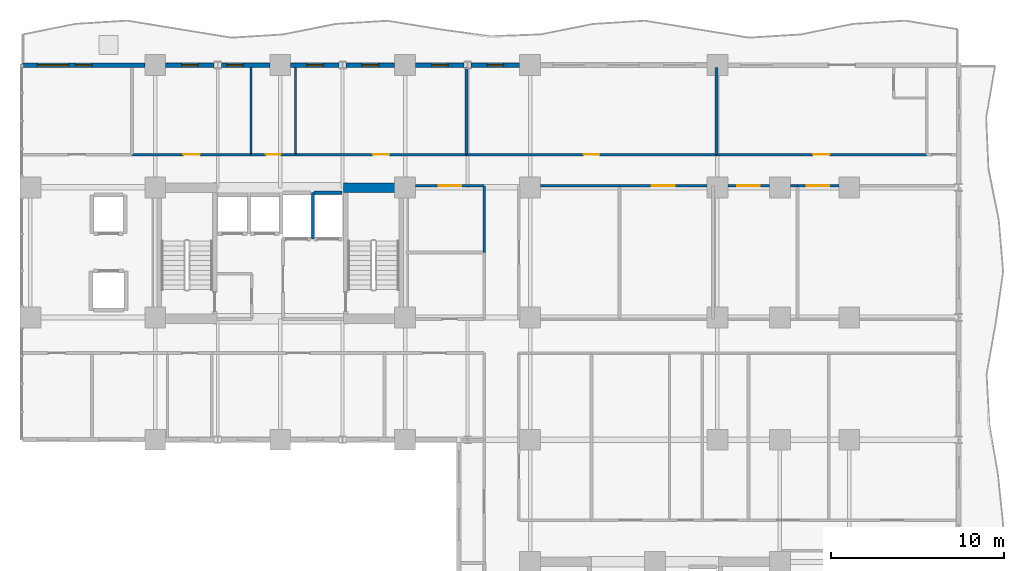
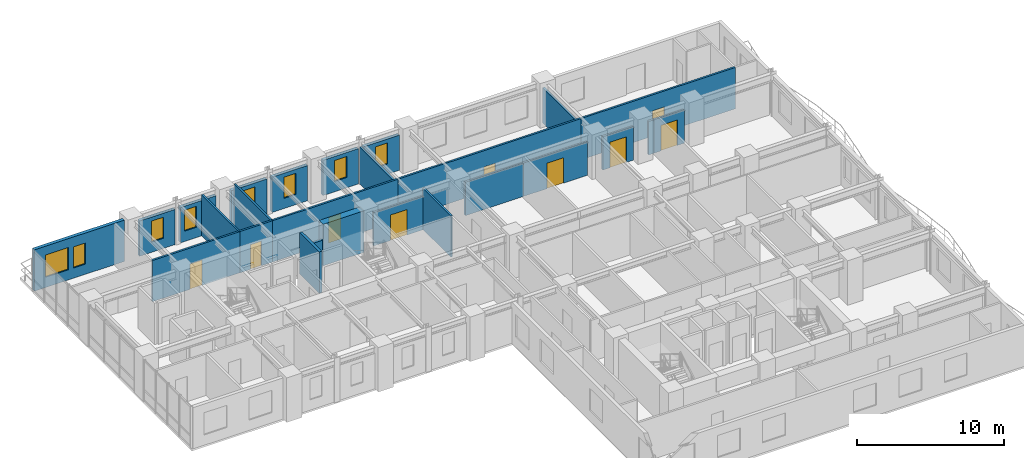
# One storey, part 14 of 18: 26 walls, 9 doors, 8 windows, 17 openings.
"""IFC4 building model written with IfcOpenShell, lengths in metres."""

from ifc_helpers import new_model, si_unit, direction, frame, frame_2d, origin, place, context, subcontext, project, spatial, rectangle, extrude, material, layer, layer_set, type_object, element, fill, save


model = new_model("IFC4")

# Units and contexts
model_context = context("Model", 3, precision=1e-05, world=origin(), true_north=direction((0.0, 1.0)))
body_context = subcontext(model_context, "Body", "Model", "MODEL_VIEW")
ifc_project = project(units=[si_unit("LENGTHUNIT", "METRE"), si_unit("AREAUNIT", "SQUARE_METRE"), si_unit("VOLUMEUNIT", "CUBIC_METRE"), si_unit("PLANEANGLEUNIT", "RADIAN"), si_unit("MASSUNIT", "GRAM", prefix="KILO")], contexts=[model_context])

# Site, building, storey
site_placement = place(None, origin())
site = spatial("IfcSite", under=ifc_project, at=site_placement, CompositionType="ELEMENT")
building_placement = place(site_placement, origin())
building = spatial("IfcBuilding", under=site, at=building_placement, Name="Kaliganga Portal Commons", CompositionType="ELEMENT")
storey_placement = place(building_placement, frame((0.0, 0.0, 93.39990234375)))
storey = spatial("IfcBuildingStorey", under=building, at=storey_placement, Name="L23", CompositionType="ELEMENT", Elevation=93.39990234375)

# Wall
ifc_material_1 = material(Name="Concrete C60/75", Category="concrete")
ifc_layer_1 = layer(ifc_material_1, 0.550048828125)
ifc_layer_set_1 = layer_set([ifc_layer_1], Name="Concrete C60/75")
wall_type_1 = type_object("IfcWallType", Name="WL-CORE-550", PredefinedType="SHEAR", material=ifc_layer_set_1)
wall_1_placement = place(storey_placement, frame((25.25, 36.125, 0.0), z_axis=(0.0, 0.0, 1.0), x_axis=(1.0, 0.0, 0.0)))
element("IfcWall", 1, at=wall_1_placement, inside=storey, type_object=wall_type_1, Name="Core A N-East Shear Wall L23", PredefinedType="SHEAR", context=body_context, shape_type="SweptSolid", body=[
    extrude(rectangle(XDim=3.199951171875, YDim=0.550048828125, at=frame_2d((1.60009765625, 0.0))), origin(), (0.0, 0.0, 1.0), 3.4501953125),
])

# Wall, opening, window
ifc_material_2 = material(Name="Insulated Aluminium-Clad Spandrel Assembly", Category="aluminium")
ifc_layer_2 = layer(ifc_material_2, 0.260009765625)
ifc_layer_set_2 = layer_set([ifc_layer_2], Name="Insulated Aluminium-Clad Spandrel Assembly")
wall_type_2 = type_object("IfcWallType", Name="WL-EXT-SPAND-260", PredefinedType="STANDARD", material=ifc_layer_set_2)
wall_2_placement = place(storey_placement, frame((32.60546875, 43.199951171875, 0.0), z_axis=(0.0, 0.0, 1.0), x_axis=(1.0, 0.0, 0.0)))
wall_2 = element("IfcWall", 2, at=wall_2_placement, inside=storey, type_object=wall_type_2, Name="Exterior Envelope Wall L23 P1-E02-S3", PredefinedType="STANDARD", context=body_context, shape_type="SweptSolid", body=[
    extrude(rectangle(XDim=2.79345703125, YDim=0.260009765625, at=frame_2d((1.396728515625, 0.0))), origin(), (0.0, 0.0, 1.0), 2.93017578125),
])
opening_1_placement = place(wall_2_placement, frame((0.921875, 0.0, 0.85009765625)))
opening_1 = element("IfcOpeningElement", 3, at=opening_1_placement, cuts=wall_2, Name="Opening W-04", PredefinedType="OPENING", context=body_context, shape_type="SweptSolid", body=[
    extrude(rectangle(XDim=0.949951171875, YDim=1.75, at=frame_2d((0.47509765625, 0.875))), frame((0.0, 0.14013671875, 0.0), z_axis=(0.0, -1.0, 0.0), x_axis=(1.0, 0.0, 0.0)), (0.0, 0.0, 1.0), 0.280029296875),
])
ifc_material_3 = material(Name="Thermally Broken Aluminium and Low-E Double Glazing", Category="aluminium")
window_type_1 = type_object("IfcWindowType", Name="WIN-NARROW-950", PartitioningType="SINGLE_PANEL", PredefinedType="WINDOW", material=ifc_material_3)
window_1_placement = place(opening_1_placement, origin())
window_1 = element("IfcWindow", 4, at=window_1_placement, inside=storey, type_object=window_type_1, Name="Facade Window L23-P1E02S3-00", OverallHeight=1.75, OverallWidth=0.949951171875, PartitioningType="SINGLE_PANEL", PredefinedType="WINDOW", context=body_context, shape_type="SweptSolid", body=[
    extrude(rectangle(XDim=0.949951171875, YDim=1.75, at=frame_2d((0.47509765625, 0.875))), frame((0.0, 0.030029296875, 0.0), z_axis=(0.0, -1.0, 0.0), x_axis=(1.0, 0.0, 0.0)), (0.0, 0.0, 1.0), 0.06005859375),
])
fill(opening_1, window_1)

wall_3_placement = place(storey_placement, frame((29.40087890625, 43.199951171875, 0.0), z_axis=(0.0, 0.0, 1.0), x_axis=(1.0, 0.0, 0.0)))
wall_3 = element("IfcWall", 5, at=wall_3_placement, inside=storey, type_object=wall_type_2, Name="Exterior Envelope Wall L23 P1-E02-S4", PredefinedType="STANDARD", context=body_context, shape_type="SweptSolid", body=[
    extrude(rectangle(XDim=2.793701171875, YDim=0.260009765625, at=frame_2d((1.39697265625, 0.0))), origin(), (0.0, 0.0, 1.0), 2.93017578125),
])
opening_2_placement = place(wall_3_placement, frame((0.921630859375, 0.0, 0.85009765625)))
opening_2 = element("IfcOpeningElement", 6, at=opening_2_placement, cuts=wall_3, Name="Opening W-04", PredefinedType="OPENING", context=body_context, shape_type="SweptSolid", body=[
    extrude(rectangle(XDim=0.949951171875, YDim=1.75, at=frame_2d((0.47509765625, 0.875))), frame((0.0, 0.14013671875, 0.0), z_axis=(0.0, -1.0, 0.0), x_axis=(1.0, 0.0, 0.0)), (0.0, 0.0, 1.0), 0.280029296875),
])
window_2_placement = place(opening_2_placement, origin())
window_2 = element("IfcWindow", 7, at=window_2_placement, inside=storey, type_object=window_type_1, Name="Facade Window L23-P1E02S4-00", OverallHeight=1.75, OverallWidth=0.949951171875, PartitioningType="SINGLE_PANEL", PredefinedType="WINDOW", context=body_context, shape_type="SweptSolid", body=[
    extrude(rectangle(XDim=0.949951171875, YDim=1.75, at=frame_2d((0.47509765625, 0.875))), frame((0.0, 0.030029296875, 0.0), z_axis=(0.0, -1.0, 0.0), x_axis=(1.0, 0.0, 0.0)), (0.0, 0.0, 1.0), 0.06005859375),
])
fill(opening_2, window_2)

wall_4_placement = place(storey_placement, frame((25.405517578125, 43.199951171875, 0.0), z_axis=(0.0, 0.0, 1.0), x_axis=(1.0, 0.0, 0.0)))
wall_4 = element("IfcWall", 8, at=wall_4_placement, inside=storey, type_object=wall_type_2, Name="Exterior Envelope Wall L23 P1-E02-S5", PredefinedType="STANDARD", context=body_context, shape_type="SweptSolid", body=[
    extrude(rectangle(XDim=2.79345703125, YDim=0.260009765625, at=frame_2d((1.396728515625, 0.0))), origin(), (0.0, 0.0, 1.0), 2.93017578125),
])
opening_3_placement = place(wall_4_placement, frame((0.921875, 0.0, 0.85009765625)))
opening_3 = element("IfcOpeningElement", 9, at=opening_3_placement, cuts=wall_4, Name="Opening W-04", PredefinedType="OPENING", context=body_context, shape_type="SweptSolid", body=[
    extrude(rectangle(XDim=0.949951171875, YDim=1.75, at=frame_2d((0.47509765625, 0.875))), frame((0.0, 0.14013671875, 0.0), z_axis=(0.0, -1.0, 0.0), x_axis=(1.0, 0.0, 0.0)), (0.0, 0.0, 1.0), 0.280029296875),
])
window_3_placement = place(opening_3_placement, origin())
window_3 = element("IfcWindow", 10, at=window_3_placement, inside=storey, type_object=window_type_1, Name="Facade Window L23-P1E02S5-00", OverallHeight=1.75, OverallWidth=0.949951171875, PartitioningType="SINGLE_PANEL", PredefinedType="WINDOW", context=body_context, shape_type="SweptSolid", body=[
    extrude(rectangle(XDim=0.949951171875, YDim=1.75, at=frame_2d((0.47509765625, 0.875))), frame((0.0, 0.030029296875, 0.0), z_axis=(0.0, -1.0, 0.0), x_axis=(1.0, 0.0, 0.0)), (0.0, 0.0, 1.0), 0.06005859375),
])
fill(opening_3, window_3)

wall_5_placement = place(storey_placement, frame((22.200927734375, 43.199951171875, 0.0), z_axis=(0.0, 0.0, 1.0), x_axis=(1.0, 0.0, 0.0)))
wall_5 = element("IfcWall", 11, at=wall_5_placement, inside=storey, type_object=wall_type_2, Name="Exterior Envelope Wall L23 P1-E02-S6", PredefinedType="STANDARD", context=body_context, shape_type="SweptSolid", body=[
    extrude(rectangle(XDim=2.79345703125, YDim=0.260009765625, at=frame_2d((1.396728515625, 0.0))), origin(), (0.0, 0.0, 1.0), 2.93017578125),
])
opening_4_placement = place(wall_5_placement, frame((0.921630859375, 0.0, 0.85009765625)))
opening_4 = element("IfcOpeningElement", 12, at=opening_4_placement, cuts=wall_5, Name="Opening W-04", PredefinedType="OPENING", context=body_context, shape_type="SweptSolid", body=[
    extrude(rectangle(XDim=0.949951171875, YDim=1.75, at=frame_2d((0.47509765625, 0.875))), frame((0.0, 0.14013671875, 0.0), z_axis=(0.0, -1.0, 0.0), x_axis=(1.0, 0.0, 0.0)), (0.0, 0.0, 1.0), 0.280029296875),
])
window_4_placement = place(opening_4_placement, origin())
window_4 = element("IfcWindow", 13, at=window_4_placement, inside=storey, type_object=window_type_1, Name="Facade Window L23-P1E02S6-00", OverallHeight=1.75, OverallWidth=0.949951171875, PartitioningType="SINGLE_PANEL", PredefinedType="WINDOW", context=body_context, shape_type="SweptSolid", body=[
    extrude(rectangle(XDim=0.949951171875, YDim=1.75, at=frame_2d((0.47509765625, 0.875))), frame((0.0, 0.030029296875, 0.0), z_axis=(0.0, -1.0, 0.0), x_axis=(1.0, 0.0, 0.0)), (0.0, 0.0, 1.0), 0.06005859375),
])
fill(opening_4, window_4)

wall_6_placement = place(storey_placement, frame((18.20556640625, 43.199951171875, 0.0), z_axis=(0.0, 0.0, 1.0), x_axis=(1.0, 0.0, 0.0)))
wall_6 = element("IfcWall", 14, at=wall_6_placement, inside=storey, type_object=wall_type_2, Name="Exterior Envelope Wall L23 P1-E02-S7", PredefinedType="STANDARD", context=body_context, shape_type="SweptSolid", body=[
    extrude(rectangle(XDim=2.79345703125, YDim=0.260009765625, at=frame_2d((1.396728515625, 0.0))), origin(), (0.0, 0.0, 1.0), 2.93017578125),
])
opening_5_placement = place(wall_6_placement, frame((0.30712890625, 0.0, 0.85009765625)))
opening_5 = element("IfcOpeningElement", 15, at=opening_5_placement, cuts=wall_6, Name="Opening W-04", PredefinedType="OPENING", context=body_context, shape_type="SweptSolid", body=[
    extrude(rectangle(XDim=0.949951171875, YDim=1.75, at=frame_2d((0.47509765625, 0.875))), frame((0.0, 0.14013671875, 0.0), z_axis=(0.0, -1.0, 0.0), x_axis=(1.0, 0.0, 0.0)), (0.0, 0.0, 1.0), 0.280029296875),
])
window_5_placement = place(opening_5_placement, origin())
window_5 = element("IfcWindow", 16, at=window_5_placement, inside=storey, type_object=window_type_1, Name="Facade Window L23-P1E02S7-N3", OverallHeight=1.75, OverallWidth=0.949951171875, PartitioningType="SINGLE_PANEL", PredefinedType="WINDOW", context=body_context, shape_type="SweptSolid", body=[
    extrude(rectangle(XDim=0.949951171875, YDim=1.75, at=frame_2d((0.47509765625, 0.875))), frame((0.0, 0.030029296875, 0.0), z_axis=(0.0, -1.0, 0.0), x_axis=(1.0, 0.0, 0.0)), (0.0, 0.0, 1.0), 0.06005859375),
])
fill(opening_5, window_5)

wall_7_placement = place(storey_placement, frame((15.0009765625, 43.199951171875, 0.0), z_axis=(0.0, 0.0, 1.0), x_axis=(1.0, 0.0, 0.0)))
wall_7 = element("IfcWall", 17, at=wall_7_placement, inside=storey, type_object=wall_type_2, Name="Exterior Envelope Wall L23 P1-E02-S8", PredefinedType="STANDARD", context=body_context, shape_type="SweptSolid", body=[
    extrude(rectangle(XDim=2.79345703125, YDim=0.260009765625, at=frame_2d((1.396728515625, 0.0))), origin(), (0.0, 0.0, 1.0), 2.93017578125),
])
opening_6_placement = place(wall_7_placement, frame((0.921630859375, 0.0, 0.85009765625)))
opening_6 = element("IfcOpeningElement", 18, at=opening_6_placement, cuts=wall_7, Name="Opening W-04", PredefinedType="OPENING", context=body_context, shape_type="SweptSolid", body=[
    extrude(rectangle(XDim=0.949951171875, YDim=1.75, at=frame_2d((0.47509765625, 0.875))), frame((0.0, 0.14013671875, 0.0), z_axis=(0.0, -1.0, 0.0), x_axis=(1.0, 0.0, 0.0)), (0.0, 0.0, 1.0), 0.280029296875),
])
window_6_placement = place(opening_6_placement, origin())
window_6 = element("IfcWindow", 19, at=window_6_placement, inside=storey, type_object=window_type_1, Name="Facade Window L23-P1E02S8-00", OverallHeight=1.75, OverallWidth=0.949951171875, PartitioningType="SINGLE_PANEL", PredefinedType="WINDOW", context=body_context, shape_type="SweptSolid", body=[
    extrude(rectangle(XDim=0.949951171875, YDim=1.75, at=frame_2d((0.47509765625, 0.875))), frame((0.0, 0.030029296875, 0.0), z_axis=(0.0, -1.0, 0.0), x_axis=(1.0, 0.0, 0.0)), (0.0, 0.0, 1.0), 0.06005859375),
])
fill(opening_6, window_6)

# Wall, openings, windows
wall_8_placement = place(storey_placement, frame((6.737060546875, 43.199951171875, 0.0), z_axis=(0.0, 0.0, 1.0), x_axis=(1.0, 0.0, 0.0)))
wall_8 = element("IfcWall", 20, at=wall_8_placement, inside=storey, type_object=wall_type_2, Name="Exterior Envelope Wall L23 P1-E02-S9", PredefinedType="STANDARD", context=body_context, shape_type="SweptSolid", body=[
    extrude(rectangle(XDim=7.06201171875, YDim=0.260009765625, at=frame_2d((3.531005859375, 0.0))), origin(), (0.0, 0.0, 1.0), 3.43017578125),
])
opening_7_placement = place(wall_8_placement, frame((0.865478515625, 0.0, 0.85009765625)))
opening_7 = element("IfcOpeningElement", 21, at=opening_7_placement, cuts=wall_8, Name="Opening W-01", PredefinedType="OPENING", context=body_context, shape_type="SweptSolid", body=[
    extrude(rectangle(XDim=1.800048828125, YDim=1.85009765625, at=frame_2d((0.89990234375, 0.925048828125))), frame((0.0, 0.14013671875, 0.0), z_axis=(0.0, -1.0, 0.0), x_axis=(1.0, 0.0, 0.0)), (0.0, 0.0, 1.0), 0.280029296875),
])
opening_8_placement = place(wall_8_placement, frame((3.055908203125, 0.0, 0.85009765625)))
opening_8 = element("IfcOpeningElement", 22, at=opening_8_placement, cuts=wall_8, Name="Opening W-04", PredefinedType="OPENING", context=body_context, shape_type="SweptSolid", body=[
    extrude(rectangle(XDim=0.949951171875, YDim=1.75, at=frame_2d((0.47509765625, 0.875))), frame((0.0, 0.14013671875, 0.0), z_axis=(0.0, -1.0, 0.0), x_axis=(1.0, 0.0, 0.0)), (0.0, 0.0, 1.0), 0.280029296875),
])
window_7_placement = place(opening_8_placement, origin())
window_7 = element("IfcWindow", 23, at=window_7_placement, inside=storey, type_object=window_type_1, Name="Facade Window L23-P1E02S9-N0", OverallHeight=1.75, OverallWidth=0.949951171875, PartitioningType="SINGLE_PANEL", PredefinedType="WINDOW", context=body_context, shape_type="SweptSolid", body=[
    extrude(rectangle(XDim=0.949951171875, YDim=1.75, at=frame_2d((0.47509765625, 0.875))), frame((0.0, 0.030029296875, 0.0), z_axis=(0.0, -1.0, 0.0), x_axis=(1.0, 0.0, 0.0)), (0.0, 0.0, 1.0), 0.06005859375),
])
fill(opening_8, window_7)
window_type_2 = type_object("IfcWindowType", Name="WIN-STD-1800", PartitioningType="DOUBLE_PANEL_VERTICAL", PredefinedType="WINDOW", material=ifc_material_3)
window_8_placement = place(opening_7_placement, origin())
window_8 = element("IfcWindow", 24, at=window_8_placement, inside=storey, type_object=window_type_2, Name="Facade Window L23-P1E02S9-00", OverallHeight=1.85009765625, OverallWidth=1.800048828125, PartitioningType="SINGLE_PANEL", PredefinedType="WINDOW", context=body_context, shape_type="SweptSolid", body=[
    extrude(rectangle(XDim=1.800048828125, YDim=1.85009765625, at=frame_2d((0.89990234375, 0.925048828125))), frame((0.0, 0.030029296875, 0.0), z_axis=(0.0, -1.0, 0.0), x_axis=(1.0, 0.0, 0.0)), (0.0, 0.0, 1.0), 0.06005859375),
])
fill(opening_7, window_8)

# Wall, opening, door
ifc_material_4 = material(Name="Fire-Rated Gypsum Board on Steel Stud", Category="steel")
ifc_layer_3 = layer(ifc_material_4, 0.14990234375)
ifc_layer_set_3 = layer_set([ifc_layer_3], Name="Fire-Rated Gypsum Board on Steel Stud")
wall_type_3 = type_object("IfcWallType", Name="WL-PART-CORR-150", PredefinedType="PARTITIONING", material=ifc_layer_set_3)
wall_9_placement = place(storey_placement, frame((32.340087890625, 38.0400390625, 0.0), z_axis=(0.0, 0.0, 1.0), x_axis=(1.0, 0.0, 0.0)))
wall_9 = element("IfcWall", 25, at=wall_9_placement, inside=storey, type_object=wall_type_3, Name="Interior Partition L23-004", PredefinedType="PARTITIONING", context=body_context, shape_type="SweptSolid", body=[
    extrude(rectangle(XDim=14.39990234375, YDim=0.14990234375, at=frame_2d((7.199951171875, 0.0))), origin(), (0.0, 0.0, 1.0), 3.43017578125),
])
opening_9_placement = place(wall_9_placement, frame((6.75, 0.0, 0.0)))
opening_9 = element("IfcOpeningElement", 26, at=opening_9_placement, cuts=wall_9, Name="Opening RD-01", PredefinedType="OPENING", context=body_context, shape_type="SweptSolid", body=[
    extrude(rectangle(XDim=0.89990234375, YDim=2.080078125, at=frame_2d((0.449951171875, 1.0400390625))), frame((0.0, 0.0849609375, 0.0), z_axis=(0.0, -1.0, 0.0), x_axis=(1.0, 0.0, 0.0)), (0.0, 0.0, 1.0), 0.169921875),
])
ifc_material_5 = material(Name="Engineered Timber Flush Door", Category="wood")
door_type_1 = type_object("IfcDoorType", Name="DR-ROOM-900", OperationType="NOTDEFINED", PredefinedType="DOOR", material=ifc_material_5)
door_1_placement = place(opening_9_placement, origin())
door_1 = element("IfcDoor", 27, at=door_1_placement, inside=storey, type_object=door_type_1, Name="Interior Door L23-AN05", OperationType="SINGLE_SWING_LEFT", OverallHeight=2.080078125, OverallWidth=0.89990234375, PredefinedType="DOOR", context=body_context, shape_type="SweptSolid", body=[
    extrude(rectangle(XDim=0.89990234375, YDim=2.080078125, at=frame_2d((0.449951171875, 1.0400390625))), frame((0.0, 0.02490234375, 0.0), z_axis=(0.0, -1.0, 0.0), x_axis=(1.0, 0.0, 0.0)), (0.0, 0.0, 1.0), 0.050048828125),
])
fill(opening_9, door_1)

wall_10_placement = place(storey_placement, frame((46.739990234375, 38.0400390625, 0.0), z_axis=(0.0, 0.0, 1.0), x_axis=(1.0, 0.0, 0.0)))
wall_10 = element("IfcWall", 28, at=wall_10_placement, inside=storey, type_object=wall_type_3, Name="Interior Partition L23-007", PredefinedType="PARTITIONING", context=body_context, shape_type="SweptSolid", body=[
    extrude(rectangle(XDim=12.1201171875, YDim=0.14990234375, at=frame_2d((6.06005859375, 0.0))), origin(), (0.0, 0.0, 1.0), 3.43017578125),
])
opening_10_placement = place(wall_10_placement, frame((5.5849609375, 0.0, 0.0)))
opening_10 = element("IfcOpeningElement", 29, at=opening_10_placement, cuts=wall_10, Name="Opening UD-01", PredefinedType="OPENING", context=body_context, shape_type="SweptSolid", body=[
    extrude(rectangle(XDim=0.949951171875, YDim=2.10009765625, at=frame_2d((0.47509765625, 1.050048828125))), frame((0.0, 0.0849609375, 0.0), z_axis=(0.0, -1.0, 0.0), x_axis=(1.0, 0.0, 0.0)), (0.0, 0.0, 1.0), 0.169921875),
])
ifc_material_6 = material(Name="Solid-Core Timber Acoustic Fire Door", Category="wood")
door_type_2 = type_object("IfcDoorType", Name="DR-UNIT-950", OperationType="NOTDEFINED", PredefinedType="DOOR", material=ifc_material_6)
door_2_placement = place(opening_10_placement, origin())
door_2 = element("IfcDoor", 30, at=door_2_placement, inside=storey, type_object=door_type_2, Name="Interior Door L23-AN06", OperationType="SINGLE_SWING_RIGHT", OverallHeight=2.10009765625, OverallWidth=0.949951171875, PredefinedType="DOOR", context=body_context, shape_type="SweptSolid", body=[
    extrude(rectangle(XDim=0.949951171875, YDim=2.10009765625, at=frame_2d((0.47509765625, 1.050048828125))), frame((0.0, 0.02490234375, 0.0), z_axis=(0.0, -1.0, 0.0), x_axis=(1.0, 0.0, 0.0)), (0.0, 0.0, 1.0), 0.050048828125),
])
fill(opening_10, door_2)

wall_11_placement = place(storey_placement, frame((22.47998046875, 38.0400390625, 0.0), z_axis=(0.0, 0.0, 1.0), x_axis=(1.0, 0.0, 0.0)))
wall_11 = element("IfcWall", 31, at=wall_11_placement, inside=storey, type_object=wall_type_3, Name="Interior Partition L23-012", PredefinedType="PARTITIONING", context=body_context, shape_type="SweptSolid", body=[
    extrude(rectangle(XDim=9.860107421875, YDim=0.14990234375, at=frame_2d((4.93017578125, 0.0))), origin(), (0.0, 0.0, 1.0), 3.43017578125),
])
opening_11_placement = place(wall_11_placement, frame((4.455078125, 0.0, 0.0)))
opening_11 = element("IfcOpeningElement", 32, at=opening_11_placement, cuts=wall_11, Name="Opening UD-01", PredefinedType="OPENING", context=body_context, shape_type="SweptSolid", body=[
    extrude(rectangle(XDim=0.949951171875, YDim=2.10009765625, at=frame_2d((0.47509765625, 1.050048828125))), frame((0.0, 0.0849609375, 0.0), z_axis=(0.0, -1.0, 0.0), x_axis=(1.0, 0.0, 0.0)), (0.0, 0.0, 1.0), 0.169921875),
])
door_3_placement = place(opening_11_placement, origin())
door_3 = element("IfcDoor", 33, at=door_3_placement, inside=storey, type_object=door_type_2, Name="Interior Door L23-AN04", OperationType="SINGLE_SWING_LEFT", OverallHeight=2.10009765625, OverallWidth=0.949951171875, PredefinedType="DOOR", context=body_context, shape_type="SweptSolid", body=[
    extrude(rectangle(XDim=0.949951171875, YDim=2.10009765625, at=frame_2d((0.47509765625, 1.050048828125))), frame((0.0, 0.02490234375, 0.0), z_axis=(0.0, -1.0, 0.0), x_axis=(1.0, 0.0, 0.0)), (0.0, 0.0, 1.0), 0.050048828125),
])
fill(opening_11, door_3)

wall_12_placement = place(storey_placement, frame((51.419921875, 36.239990234375, 0.0), z_axis=(0.0, 0.0, 1.0), x_axis=(1.0, 0.0, 0.0)))
wall_12 = element("IfcWall", 34, at=wall_12_placement, inside=storey, type_object=wall_type_3, Name="Interior Partition L23-014", PredefinedType="PARTITIONING", context=body_context, shape_type="SweptSolid", body=[
    extrude(rectangle(XDim=2.380126953125, YDim=0.14990234375, at=frame_2d((1.18994140625, 0.0))), origin(), (0.0, 0.0, 1.0), 2.780029296875),
])
opening_12_placement = place(wall_12_placement, frame((0.5400390625, 0.0, 0.0)))
opening_12 = element("IfcOpeningElement", 35, at=opening_12_placement, cuts=wall_12, Name="Opening RD-03", PredefinedType="OPENING", context=body_context, shape_type="SweptSolid", body=[
    extrude(rectangle(XDim=1.300048828125, YDim=2.1201171875, at=frame_2d((0.64990234375, 1.06005859375))), frame((0.0, 0.0849609375, 0.0), z_axis=(0.0, -1.0, 0.0), x_axis=(1.0, 0.0, 0.0)), (0.0, 0.0, 1.0), 0.169921875),
])
ifc_material_7 = material(Name="Glazed Timber Seminar Vision Door", Category="wood")
door_type_3 = type_object("IfcDoorType", Name="DR-STUDY-1300", OperationType="DOUBLE_DOOR_SINGLE_SWING", PredefinedType="DOOR", material=ifc_material_7)
door_4_placement = place(opening_12_placement, origin())
door_4 = element("IfcDoor", 36, at=door_4_placement, inside=storey, type_object=door_type_3, Name="Interior Door L23-BK04", OperationType="DOUBLE_DOOR_SINGLE_SWING", OverallHeight=2.1201171875, OverallWidth=1.300048828125, PredefinedType="DOOR", context=body_context, shape_type="SweptSolid", body=[
    extrude(rectangle(XDim=1.300048828125, YDim=2.1201171875, at=frame_2d((0.64990234375, 1.06005859375))), frame((0.0, 0.02490234375, 0.0), z_axis=(0.0, -1.0, 0.0), x_axis=(1.0, 0.0, 0.0)), (0.0, 0.0, 1.0), 0.050048828125),
])
fill(opening_12, door_4)

wall_13_placement = place(storey_placement, frame((13.06005859375, 38.0400390625, 0.0), z_axis=(0.0, 0.0, 1.0), x_axis=(1.0, 0.0, 0.0)))
wall_13 = element("IfcWall", 37, at=wall_13_placement, inside=storey, type_object=wall_type_3, Name="Interior Partition L23-020", PredefinedType="PARTITIONING", context=body_context, shape_type="SweptSolid", body=[
    extrude(rectangle(XDim=6.85986328125, YDim=0.14990234375, at=frame_2d((3.429931640625, 0.0))), origin(), (0.0, 0.0, 1.0), 3.43017578125),
])
opening_13_placement = place(wall_13_placement, frame((2.955078125, 0.0, 0.0)))
opening_13 = element("IfcOpeningElement", 38, at=opening_13_placement, cuts=wall_13, Name="Opening UD-01", PredefinedType="OPENING", context=body_context, shape_type="SweptSolid", body=[
    extrude(rectangle(XDim=0.949951171875, YDim=2.10009765625, at=frame_2d((0.47509765625, 1.050048828125))), frame((0.0, 0.0849609375, 0.0), z_axis=(0.0, -1.0, 0.0), x_axis=(1.0, 0.0, 0.0)), (0.0, 0.0, 1.0), 0.169921875),
])
door_5_placement = place(opening_13_placement, origin())
door_5 = element("IfcDoor", 39, at=door_5_placement, inside=storey, type_object=door_type_2, Name="Interior Door L23-AN02", OperationType="SINGLE_SWING_RIGHT", OverallHeight=2.10009765625, OverallWidth=0.949951171875, PredefinedType="DOOR", context=body_context, shape_type="SweptSolid", body=[
    extrude(rectangle(XDim=0.949951171875, YDim=2.10009765625, at=frame_2d((0.47509765625, 1.050048828125))), frame((0.0, 0.02490234375, 0.0), z_axis=(0.0, -1.0, 0.0), x_axis=(1.0, 0.0, 0.0)), (0.0, 0.0, 1.0), 0.050048828125),
])
fill(opening_13, door_5)

# Wall
wall_14_placement = place(storey_placement, frame((36.60009765625, 36.239990234375, 0.0), z_axis=(0.0, 0.0, 1.0), x_axis=(1.0, 0.0, 0.0)))
element("IfcWall", 40, at=wall_14_placement, inside=storey, type_object=wall_type_3, Name="Interior Partition L23-022", PredefinedType="PARTITIONING", context=body_context, shape_type="SweptSolid", body=[
    extrude(rectangle(XDim=4.559814453125, YDim=0.14990234375, at=frame_2d((2.27978515625, 0.0))), origin(), (0.0, 0.0, 1.0), 2.780029296875),
])

# Wall, opening, door
wall_15_placement = place(storey_placement, frame((41.159912109375, 36.239990234375, 0.0), z_axis=(0.0, 0.0, 1.0), x_axis=(1.0, 0.0, 0.0)))
wall_15 = element("IfcWall", 41, at=wall_15_placement, inside=storey, type_object=wall_type_3, Name="Interior Partition L23-024", PredefinedType="PARTITIONING", context=body_context, shape_type="SweptSolid", body=[
    extrude(rectangle(XDim=5.0400390625, YDim=0.14990234375, at=frame_2d((2.52001953125, 0.0))), origin(), (0.0, 0.0, 1.0), 2.780029296875),
])
opening_14_placement = place(wall_15_placement, frame((1.8701171875, 0.0, 0.0)))
opening_14 = element("IfcOpeningElement", 42, at=opening_14_placement, cuts=wall_15, Name="Opening RD-03", PredefinedType="OPENING", context=body_context, shape_type="SweptSolid", body=[
    extrude(rectangle(XDim=1.300048828125, YDim=2.1201171875, at=frame_2d((0.64990234375, 1.06005859375))), frame((0.0, 0.0849609375, 0.0), z_axis=(0.0, -1.0, 0.0), x_axis=(1.0, 0.0, 0.0)), (0.0, 0.0, 1.0), 0.169921875),
])
door_6_placement = place(opening_14_placement, origin())
door_6 = element("IfcDoor", 43, at=door_6_placement, inside=storey, type_object=door_type_3, Name="Interior Door L23-BK02", OperationType="DOUBLE_DOOR_SINGLE_SWING", OverallHeight=2.1201171875, OverallWidth=1.300048828125, PredefinedType="DOOR", context=body_context, shape_type="SweptSolid", body=[
    extrude(rectangle(XDim=1.300048828125, YDim=2.1201171875, at=frame_2d((0.64990234375, 1.06005859375))), frame((0.0, 0.02490234375, 0.0), z_axis=(0.0, -1.0, 0.0), x_axis=(1.0, 0.0, 0.0)), (0.0, 0.0, 1.0), 0.050048828125),
])
fill(opening_14, door_6)

wall_16_placement = place(storey_placement, frame((47.39990234375, 36.239990234375, 0.0), z_axis=(0.0, 0.0, 1.0), x_axis=(1.0, 0.0, 0.0)))
wall_16 = element("IfcWall", 44, at=wall_16_placement, inside=storey, type_object=wall_type_3, Name="Interior Partition L23-026", PredefinedType="PARTITIONING", context=body_context, shape_type="SweptSolid", body=[
    extrude(rectangle(XDim=2.400146484375, YDim=0.14990234375, at=frame_2d((1.2001953125, 0.0))), origin(), (0.0, 0.0, 1.0), 2.780029296875),
])
opening_15_placement = place(wall_16_placement, frame((0.550048828125, 0.0, 0.0)))
opening_15 = element("IfcOpeningElement", 45, at=opening_15_placement, cuts=wall_16, Name="Opening RD-03", PredefinedType="OPENING", context=body_context, shape_type="SweptSolid", body=[
    extrude(rectangle(XDim=1.300048828125, YDim=2.1201171875, at=frame_2d((0.64990234375, 1.06005859375))), frame((0.0, 0.0849609375, 0.0), z_axis=(0.0, -1.0, 0.0), x_axis=(1.0, 0.0, 0.0)), (0.0, 0.0, 1.0), 0.169921875),
])
door_7_placement = place(opening_15_placement, origin())
door_7 = element("IfcDoor", 46, at=door_7_placement, inside=storey, type_object=door_type_3, Name="Interior Door L23-BK03", OperationType="DOUBLE_DOOR_SINGLE_SWING", OverallHeight=2.1201171875, OverallWidth=1.300048828125, PredefinedType="DOOR", context=body_context, shape_type="SweptSolid", body=[
    extrude(rectangle(XDim=1.300048828125, YDim=2.1201171875, at=frame_2d((0.64990234375, 1.06005859375))), frame((0.0, 0.02490234375, 0.0), z_axis=(0.0, -1.0, 0.0), x_axis=(1.0, 0.0, 0.0)), (0.0, 0.0, 1.0), 0.050048828125),
])
fill(opening_15, door_7)

# Wall
wall_17_placement = place(storey_placement, frame((51.0, 36.239990234375, 0.0), z_axis=(0.0, 0.0, 1.0), x_axis=(1.0, 0.0, 0.0)))
element("IfcWall", 47, at=wall_17_placement, inside=storey, type_object=wall_type_3, Name="Interior Partition L23-027", PredefinedType="PARTITIONING", context=body_context, shape_type="SweptSolid", body=[
    extrude(rectangle(XDim=0.419921875, YDim=0.14990234375, at=frame_2d((0.2099609375, 0.0))), origin(), (0.0, 0.0, 1.0), 2.780029296875),
])

# Wall, opening, door
wall_18_placement = place(storey_placement, frame((29.39990234375, 36.239990234375, 0.0), z_axis=(0.0, 0.0, 1.0), x_axis=(1.0, 0.0, 0.0)))
wall_18 = element("IfcWall", 48, at=wall_18_placement, inside=storey, type_object=wall_type_3, Name="Interior Partition L23-030", PredefinedType="PARTITIONING", context=body_context, shape_type="SweptSolid", body=[
    extrude(rectangle(XDim=3.960205078125, YDim=0.14990234375, at=frame_2d((1.97998046875, 0.0))), origin(), (0.0, 0.0, 1.0), 2.780029296875),
])
opening_16_placement = place(wall_18_placement, frame((1.330078125, 0.0, 0.0)))
opening_16 = element("IfcOpeningElement", 49, at=opening_16_placement, cuts=wall_18, Name="Opening RD-03", PredefinedType="OPENING", context=body_context, shape_type="SweptSolid", body=[
    extrude(rectangle(XDim=1.300048828125, YDim=2.1201171875, at=frame_2d((0.64990234375, 1.06005859375))), frame((0.0, 0.0849609375, 0.0), z_axis=(0.0, -1.0, 0.0), x_axis=(1.0, 0.0, 0.0)), (0.0, 0.0, 1.0), 0.169921875),
])
door_8_placement = place(opening_16_placement, origin())
door_8 = element("IfcDoor", 50, at=door_8_placement, inside=storey, type_object=door_type_3, Name="Interior Door L23-CSRV_A2", OperationType="DOUBLE_DOOR_SINGLE_SWING", OverallHeight=2.1201171875, OverallWidth=1.300048828125, PredefinedType="DOOR", context=body_context, shape_type="SweptSolid", body=[
    extrude(rectangle(XDim=1.300048828125, YDim=2.1201171875, at=frame_2d((0.64990234375, 1.06005859375))), frame((0.0, 0.02490234375, 0.0), z_axis=(0.0, -1.0, 0.0), x_axis=(1.0, 0.0, 0.0)), (0.0, 0.0, 1.0), 0.050048828125),
])
fill(opening_16, door_8)

# Wall
wall_19_placement = place(storey_placement, frame((33.360107421875, 32.39990234375, 0.0), z_axis=(0.0, 0.0, 1.0), x_axis=(0.0, 1.0, 0.0)))
element("IfcWall", 51, at=wall_19_placement, inside=storey, type_object=wall_type_3, Name="Interior Partition L23-035", PredefinedType="PARTITIONING", context=body_context, shape_type="SweptSolid", body=[
    extrude(rectangle(XDim=3.840087890625, YDim=0.14990234375, at=frame_2d((1.919921875, 0.0))), origin(), (0.0, 0.0, 1.0), 3.43017578125),
])

# Wall, opening, door
wall_20_placement = place(storey_placement, frame((19.919921875, 38.0400390625, 0.0), z_axis=(0.0, 0.0, 1.0), x_axis=(1.0, 0.0, 0.0)))
wall_20 = element("IfcWall", 52, at=wall_20_placement, inside=storey, type_object=wall_type_3, Name="Interior Partition L23-040", PredefinedType="PARTITIONING", context=body_context, shape_type="SweptSolid", body=[
    extrude(rectangle(XDim=2.56005859375, YDim=0.14990234375, at=frame_2d((1.280029296875, 0.0))), origin(), (0.0, 0.0, 1.0), 3.43017578125),
])
opening_17_placement = place(wall_20_placement, frame((0.85498046875, 0.0, 0.0)))
opening_17 = element("IfcOpeningElement", 53, at=opening_17_placement, cuts=wall_20, Name="Opening WD-01", PredefinedType="OPENING", context=body_context, shape_type="SweptSolid", body=[
    extrude(rectangle(XDim=0.85009765625, YDim=2.0400390625, at=frame_2d((0.425048828125, 1.02001953125))), frame((0.0, 0.0849609375, 0.0), z_axis=(0.0, -1.0, 0.0), x_axis=(1.0, 0.0, 0.0)), (0.0, 0.0, 1.0), 0.169921875),
])
ifc_material_8 = material(Name="Moisture-Resistant Laminate Timber Door", Category="wood")
door_type_4 = type_object("IfcDoorType", Name="DR-WET-850", OperationType="NOTDEFINED", PredefinedType="DOOR", material=ifc_material_8)
door_9_placement = place(opening_17_placement, origin())
door_9 = element("IfcDoor", 54, at=door_9_placement, inside=storey, type_object=door_type_4, Name="Interior Door L23-AN03", OperationType="SINGLE_SWING_RIGHT", OverallHeight=2.0400390625, OverallWidth=0.85009765625, PredefinedType="DOOR", context=body_context, shape_type="SweptSolid", body=[
    extrude(rectangle(XDim=0.85009765625, YDim=2.0400390625, at=frame_2d((0.425048828125, 1.02001953125))), frame((0.0, 0.02490234375, 0.0), z_axis=(0.0, -1.0, 0.0), x_axis=(1.0, 0.0, 0.0)), (0.0, 0.0, 1.0), 0.050048828125),
])
fill(opening_17, door_9)

# Walls
ifc_material_9 = material(Name="Twin-Stud Acoustic Gypsum Partition", Category="gypsum")
ifc_layer_4 = layer(ifc_material_9, 0.1650390625)
ifc_layer_set_4 = layer_set([ifc_layer_4], Name="Twin-Stud Acoustic Gypsum Partition")
wall_type_4 = type_object("IfcWallType", Name="WL-PART-UNIT-165", PredefinedType="PARTITIONING", material=ifc_layer_set_4)
wall_21_placement = place(storey_placement, frame((32.340087890625, 38.0400390625, 0.0), z_axis=(0.0, 0.0, 1.0), x_axis=(0.0, 1.0, 0.0)))
element("IfcWall", 55, at=wall_21_placement, inside=storey, type_object=wall_type_4, Name="Interior Partition L23-063", PredefinedType="PARTITIONING", context=body_context, shape_type="SweptSolid", body=[
    extrude(rectangle(XDim=5.028076171875, YDim=0.1650390625, at=frame_2d((2.51416015625, 0.0))), origin(), (0.0, 0.0, 1.0), 3.070068359375),
])
wall_22_placement = place(storey_placement, frame((46.739990234375, 38.0400390625, 0.0), z_axis=(0.0, 0.0, 1.0), x_axis=(0.0, 1.0, 0.0)))
element("IfcWall", 56, at=wall_22_placement, inside=storey, type_object=wall_type_4, Name="Interior Partition L23-064", PredefinedType="PARTITIONING", context=body_context, shape_type="SweptSolid", body=[
    extrude(rectangle(XDim=5.028076171875, YDim=0.1650390625, at=frame_2d((2.51416015625, 0.0))), origin(), (0.0, 0.0, 1.0), 2.93017578125),
])
ifc_material_10 = material(Name="Cement-Board Wet-Room Partition", Category="gypsum")
ifc_layer_5 = layer(ifc_material_10, 0.135009765625)
ifc_layer_set_5 = layer_set([ifc_layer_5], Name="Cement-Board Wet-Room Partition")
wall_type_5 = type_object("IfcWallType", Name="WL-PART-WET-135", PredefinedType="PARTITIONING", material=ifc_layer_set_5)
for number, where, z_axis, x_axis, name in (
    (57, (19.919921875, 38.0400390625, 0.0), (0.0, 0.0, 1.0), (0.0, 1.0, 0.0), "Interior Partition L23-061"),
    (58, (22.47998046875, 38.0400390625, 0.0), (0.0, 0.0, 1.0), (0.0, 1.0, 0.0), "Interior Partition L23-062"),
):
    element("IfcWall", number, at=place(storey_placement, frame(where, z_axis=z_axis, x_axis=x_axis)), inside=storey, type_object=wall_type_5, Name=name, PredefinedType="PARTITIONING", context=body_context, shape_type="SweptSolid", body=[
        extrude(rectangle(XDim=5.028076171875, YDim=0.135009765625, at=frame_2d((2.51416015625, 0.0))), origin(), (0.0, 0.0, 1.0), 3.43017578125),
    ])
ifc_material_11 = material(Name="Fire-Rated Shaftwall Masonry Assembly", Category="masonry")
ifc_layer_6 = layer(ifc_material_11, 0.199951171875)
ifc_layer_set_6 = layer_set([ifc_layer_6], Name="Fire-Rated Shaftwall Masonry Assembly")
wall_type_6 = type_object("IfcWallType", Name="WL-SHAFT-200", PredefinedType="PARTITIONING", material=ifc_layer_set_6)
wall_23_placement = place(storey_placement, frame((23.489990234375, 33.159912109375, 0.0), z_axis=(0.0, 0.0, 1.0), x_axis=(0.0, 1.0, 0.0)))
element("IfcWall", 59, at=wall_23_placement, inside=storey, type_object=wall_type_6, Name="Lift FFL-1 Hoistway Shaft Wall L23-E", PredefinedType="PARTITIONING", context=body_context, shape_type="SweptSolid", body=[
    extrude(rectangle(XDim=2.68017578125, YDim=0.199951171875, at=frame_2d((1.340087890625, 0.0))), origin(), (0.0, 0.0, 1.0), 3.43017578125),
])
wall_24_placement = place(storey_placement, frame((23.550048828125, 35.840087890625, 0.0), z_axis=(0.0, 0.0, 1.0), x_axis=(1.0, 0.0, 0.0)))
element("IfcWall", 60, at=wall_24_placement, inside=storey, type_object=wall_type_6, Name="Lift FFL-2 Hoistway Shaft Wall L23-N", PredefinedType="PARTITIONING", context=body_context, shape_type="SweptSolid", body=[
    extrude(rectangle(XDim=1.599853515625, YDim=0.199951171875, at=frame_2d((0.7998046875, 0.0))), origin(), (0.0, 0.0, 1.0), 2.22998046875),
])

save(model, "model.ifc")
